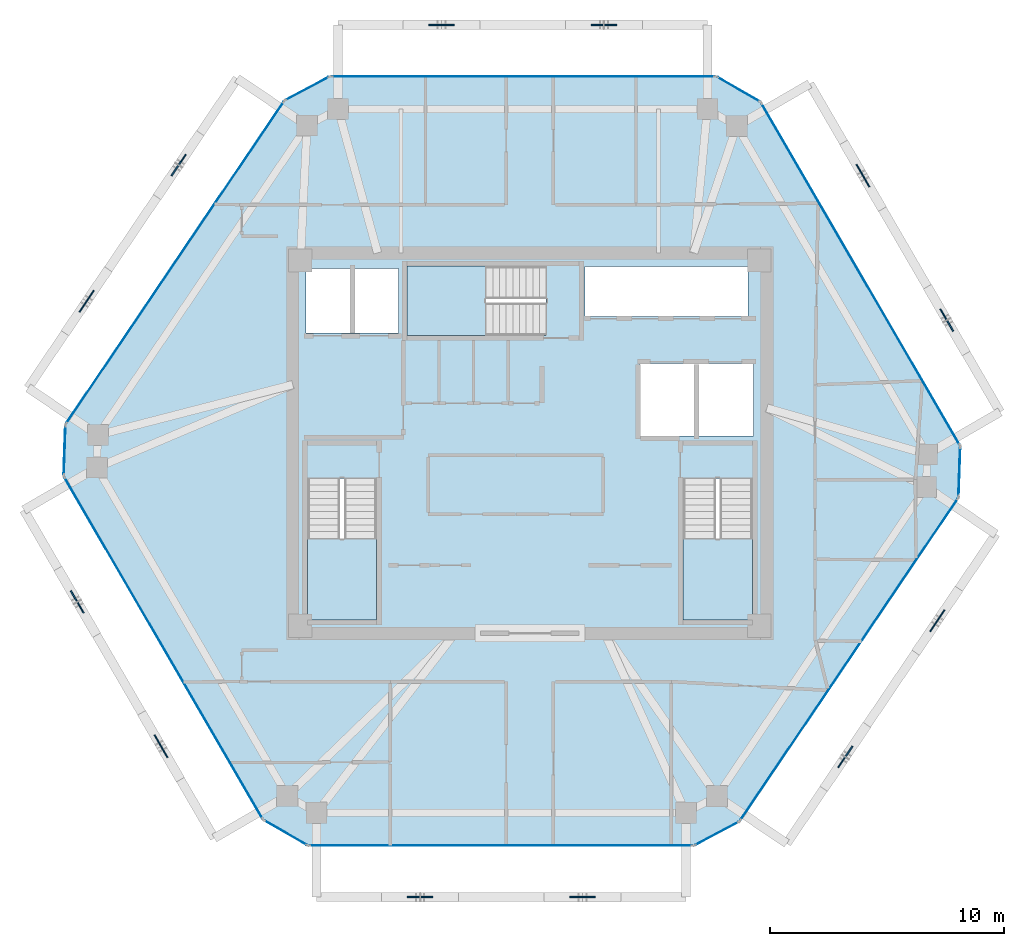
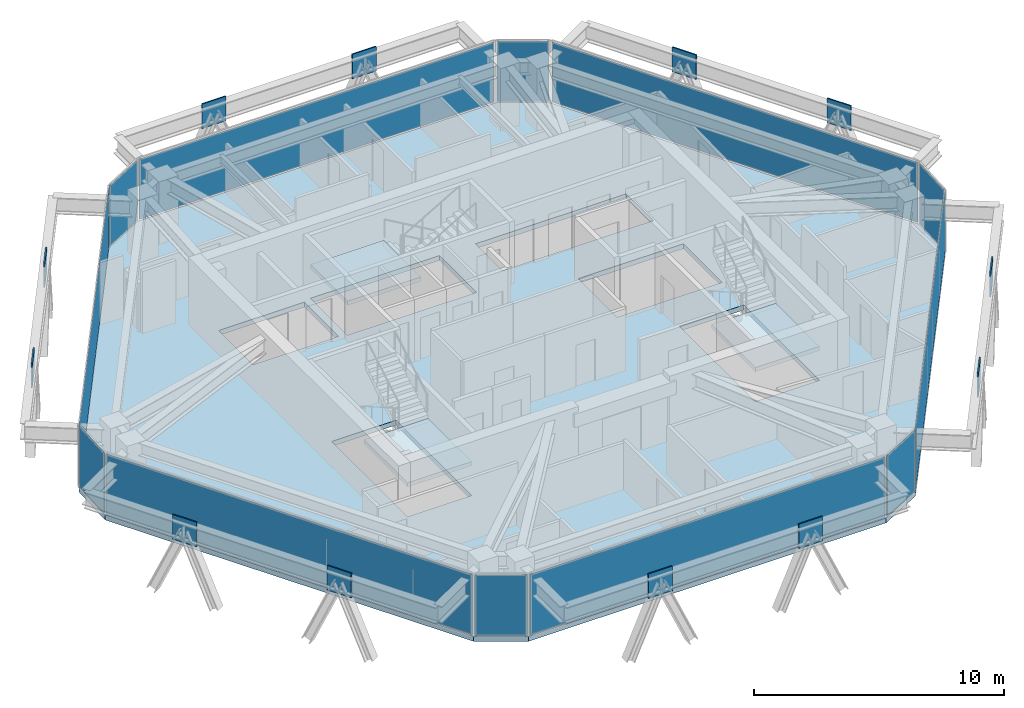
# One storey, part 7 of 13: 24 plates, 4 slabs, 15 elements without a shape of their own.
"""IFC4 building model written with IfcOpenShell, lengths in metres."""

import ifcopenshell
import ifcopenshell.guid

model = None  # the IFC model being written
_history = None  # IfcOwnerHistory: only IFC2X3 demands one
_inside = {}  # id of a spatial element -> (the spatial element, [elements in it])
_under = {}  # id of a project, library or spatial element -> (it, [spatial elements below it])
_declared = {}  # id of a project -> (the project, [libraries it declares])
_typed = {}  # id of a type object -> (the type object, [elements of that type])
_made_of = {}  # id of a material, layer set ... -> (it, [elements and type objects made of it])


def new_model(schema):
    """Start an empty IFC model of exactly this schema.

    Asked for "IFC4X3", IfcOpenShell would pick the latest addendum, in which some entities
    have other attributes; the version numbers below select the first issue.
    IFC2X3 requires an IfcOwnerHistory on every rooted entity: one is made here for all.
    """
    global model, _history
    if schema == "IFC4X3":
        model = ifcopenshell.file(schema_version=(4, 3, 0, 0))
    else:
        model = ifcopenshell.file(schema=schema)
    _inside.clear()
    _under.clear()
    _declared.clear()
    _typed.clear()
    _made_of.clear()
    _history = None
    if model.schema == "IFC2X3":
        org = make("IfcOrganization", Name="unknown")
        user = make(
            "IfcPersonAndOrganization",
            ThePerson=make("IfcPerson", FamilyName="unknown"),
            TheOrganization=org,
        )
        app = make(
            "IfcApplication",
            ApplicationDeveloper=org,
            Version="unknown",
            ApplicationFullName="unknown",
            ApplicationIdentifier="unknown",
        )
        _history = make(
            "IfcOwnerHistory",
            OwningUser=user,
            OwningApplication=app,
            ChangeAction="ADDED",
            CreationDate=0,
        )
    return model


def make(cls, **values):
    """One entity of the class cls with the attributes given. An attribute that is None is left unset."""
    return model.create_entity(
        cls, **{name: value for name, value in values.items() if value is not None}
    )


def rooted(cls, **values):
    """An entity with a GlobalId (a new one), such as an element, a storey or a relation."""
    return make(cls, GlobalId=ifcopenshell.guid.new(), OwnerHistory=_history, **values)


def si_unit(unit_type, name, prefix=None):
    """IfcSIUnit, for example si_unit("LENGTHUNIT", "METRE", prefix="MILLI")."""
    return make("IfcSIUnit", UnitType=unit_type, Prefix=prefix, Name=name)


def assignment(units):
    """IfcUnitAssignment: the units of a project."""
    return None if units is None else make("IfcUnitAssignment", Units=units)


def point(xyz):
    """IfcCartesianPoint."""
    return None if xyz is None else make("IfcCartesianPoint", Coordinates=xyz)


def direction(xyz):
    """IfcDirection."""
    return None if xyz is None else make("IfcDirection", DirectionRatios=xyz)


def frame(location, z_axis=None, x_axis=None):
    """IfcAxis2Placement3D, a coordinate frame: its origin and axes. An axis left out is left unset."""
    return make(
        "IfcAxis2Placement3D",
        Location=point(location),
        Axis=direction(z_axis),
        RefDirection=direction(x_axis),
    )


def frame_2d(location, x_axis=None):
    """IfcAxis2Placement2D, a coordinate frame in the plane: its origin and x axis."""
    return make(
        "IfcAxis2Placement2D", Location=point(location), RefDirection=direction(x_axis)
    )


def origin():
    """The frame at (0, 0, 0) with its axes left unset."""
    return frame((0.0, 0.0, 0.0))


def origin_2d():
    """The frame at (0, 0) in the plane with its x axis left unset."""
    return frame_2d((0.0, 0.0))


def place(relative_to, where):
    """IfcLocalPlacement: puts the frame where relative to a parent placement (None: the world)."""
    return make(
        "IfcLocalPlacement", PlacementRelTo=relative_to, RelativePlacement=where
    )


def context(
    kind, dimensions, precision=None, world=None, true_north=None, identifier=None
):
    """IfcGeometricRepresentationContext, for example the 3D "Model" context."""
    return make(
        "IfcGeometricRepresentationContext",
        ContextIdentifier=identifier,
        ContextType=kind,
        CoordinateSpaceDimension=dimensions,
        Precision=precision,
        WorldCoordinateSystem=world,
        TrueNorth=true_north,
    )


def subcontext(parent, identifier, kind, view, scale=None):
    """IfcGeometricRepresentationSubContext, for example "Body" below "Model"."""
    return make(
        "IfcGeometricRepresentationSubContext",
        ContextIdentifier=identifier,
        ContextType=kind,
        ParentContext=parent,
        TargetScale=scale,
        TargetView=view,
    )


def project(units=None, contexts=None):
    """IfcProject with its units and contexts."""
    return rooted(
        "IfcProject",
        Name="project",
        RepresentationContexts=contexts,
        UnitsInContext=assignment(units),
    )


def spatial(cls, under=None, at=None, **own):
    """A site, building, storey or space (cls), placed at a placement, below another one or the project."""
    s = rooted(cls, ObjectPlacement=at, **own)
    if under is not None:
        _under.setdefault(under.id(), (under, []))[1].append(s)
    return s


def polyline(points):
    """IfcPolyline through the points."""
    return make("IfcPolyline", Points=[point(p) for p in points])


def profile(cls, at=None, kind="AREA", **sizes):
    """A parametric profile (cls). Its sizes go by their IFC names, for example OverallWidth=200.0."""
    return make(cls, ProfileType=kind, Position=at, **sizes)


def rectangle(**sizes):
    """IfcRectangleProfileDef."""
    return profile("IfcRectangleProfileDef", **sizes)


def outline(outer, holes=None, kind="AREA"):
    """IfcArbitraryClosedProfileDef: a profile drawn as a closed curve; with holes, ...WithVoids."""
    if holes is None:
        return make("IfcArbitraryClosedProfileDef", ProfileType=kind, OuterCurve=outer)
    return make(
        "IfcArbitraryProfileDefWithVoids",
        ProfileType=kind,
        OuterCurve=outer,
        InnerCurves=holes,
    )


def extrude(swept, where, along, depth):
    """IfcExtrudedAreaSolid: the profile swept, set in the frame where, extruded along a direction by depth."""
    return make(
        "IfcExtrudedAreaSolid",
        SweptArea=swept,
        Position=where,
        ExtrudedDirection=direction(along),
        Depth=depth,
    )


def shape(context_of_items, identifier, shape_type, items):
    """IfcShapeRepresentation: the items that make up one representation, for example the "Body"."""
    return make(
        "IfcShapeRepresentation",
        ContextOfItems=context_of_items,
        RepresentationIdentifier=identifier,
        RepresentationType=shape_type,
        Items=items,
    )


def source(mapping_origin, context_of_items, identifier, shape_type, items):
    """IfcRepresentationMap: a shape defined once, which mapped items show again and again."""
    return make(
        "IfcRepresentationMap",
        MappingOrigin=mapping_origin,
        MappedRepresentation=shape(context_of_items, identifier, shape_type, items),
    )


def transform(
    local_origin,
    x_axis=None,
    y_axis=None,
    z_axis=None,
    scale=None,
    scale2=None,
    scale3=None,
    uniform=True,
):
    """IfcCartesianTransformationOperator3D, or its non-uniform kind. x_axis, y_axis, z_axis: its Axis1, 2, 3."""
    if uniform:
        return make(
            "IfcCartesianTransformationOperator3D",
            Axis1=direction(x_axis),
            Axis2=direction(y_axis),
            LocalOrigin=point(local_origin),
            Scale=scale,
            Axis3=direction(z_axis),
        )
    return make(
        "IfcCartesianTransformationOperator3DnonUniform",
        Axis1=direction(x_axis),
        Axis2=direction(y_axis),
        LocalOrigin=point(local_origin),
        Scale=scale,
        Axis3=direction(z_axis),
        Scale2=scale2,
        Scale3=scale3,
    )


def mapped(mapping_source, mapping_target):
    """IfcMappedItem: shows the shape of a source again, moved by a transform."""
    return make(
        "IfcMappedItem", MappingSource=mapping_source, MappingTarget=mapping_target
    )


def material(Name=None, Category=None):
    """IfcMaterial."""
    return make("IfcMaterial", Name=Name, Category=Category)


def layer(
    of_material, thickness, ventilated=None, Name=None, Category=None, Priority=None
):
    """IfcMaterialLayer: one layer of a wall or slab, of a material (None: an air gap)."""
    return make(
        "IfcMaterialLayer",
        Material=of_material,
        LayerThickness=thickness,
        IsVentilated=ventilated,
        Name=Name,
        Category=Category,
        Priority=Priority,
    )


def layer_set(layers, Name=None):
    """IfcMaterialLayerSet."""
    return make("IfcMaterialLayerSet", MaterialLayers=layers, LayerSetName=Name)


def made_of(thing, what):
    """Note that an element or type object is made of a material, layer set ...; save() writes the relation."""
    if what is not None:
        _made_of.setdefault(what.id(), (what, []))[1].append(thing)
    return thing


def type_object(cls, material=None, **own):
    """A type object (cls), such as IfcWallType, which elements share."""
    return made_of(rooted(cls, **own), material)


def type_shapes(of_type, sources):
    """Give a type object the sources (RepresentationMaps) that its elements show as mapped items."""
    of_type.RepresentationMaps = sources


def element(
    cls,
    number,
    at=None,
    inside=None,
    cuts=None,
    type_object=None,
    material=None,
    context=None,
    identifier="Body",
    shape_type=None,
    held_by="IfcProductDefinitionShape",
    body=None,
    shapes=None,
    **own,
):
    """One element of the class cls, such as IfcWall. Its Tag is "e" and its number.

    at: its placement. inside: the storey or other place that contains it. cuts: it is an
    opening in that element (IfcRelVoidsElement). A single representation is given by context,
    identifier, shape_type and body (its items); several are given by shapes. held_by: the class
    of the entity that holds the representations. save() writes the other relations.
    """
    e = rooted(cls, Tag="e%d" % number, ObjectPlacement=at, **own)
    if body is not None:
        shapes = [shape(context, identifier, shape_type, body)]
    if shapes is not None:
        e.Representation = make(held_by, Representations=shapes)
    if inside is not None:
        _inside.setdefault(inside.id(), (inside, []))[1].append(e)
    if cuts is not None:
        rooted(
            "IfcRelVoidsElement", RelatingBuildingElement=cuts, RelatedOpeningElement=e
        )
    if type_object is not None:
        _typed.setdefault(type_object.id(), (type_object, []))[1].append(e)
    return made_of(e, material)


def aggregate(whole, parts):
    """IfcRelAggregates: a whole, such as a stair, and the parts it consists of."""
    return rooted("IfcRelAggregates", RelatingObject=whole, RelatedObjects=parts)


def save(model, path):
    """Write the relations noted so far, then the file.

    IfcRelAggregates (storeys below a building ...), IfcRelContainedInSpatialStructure (elements
    in a storey), IfcRelDefinesByType, IfcRelAssociatesMaterial and IfcRelDeclares: one each for
    every whole, place, type object, material and project.
    """
    for whole, parts in _under.values():
        aggregate(whole, parts)
    for where, things in _inside.values():
        rooted(
            "IfcRelContainedInSpatialStructure",
            RelatedElements=things,
            RelatingStructure=where,
        )
    for kind, things in _typed.values():
        rooted("IfcRelDefinesByType", RelatedObjects=things, RelatingType=kind)
    for what, things in _made_of.values():
        rooted("IfcRelAssociatesMaterial", RelatedObjects=things, RelatingMaterial=what)
    for by, libraries in _declared.values():
        rooted("IfcRelDeclares", RelatingContext=by, RelatedDefinitions=libraries)
    model.write(path)


model = new_model("IFC4")

# Units and contexts
model_context = context("Model", 3, precision=1e-05, world=origin(), true_north=direction((0.0, 1.0)))
body_context = subcontext(model_context, "Body", "Model", "MODEL_VIEW")
ifc_project = project(units=[si_unit("LENGTHUNIT", "METRE"), si_unit("AREAUNIT", "SQUARE_METRE"), si_unit("VOLUMEUNIT", "CUBIC_METRE"), si_unit("PLANEANGLEUNIT", "RADIAN"), si_unit("MASSUNIT", "GRAM", prefix="KILO")], contexts=[model_context])

# Site, building, storey
site_placement = place(None, origin())
site = spatial("IfcSite", under=ifc_project, at=site_placement, CompositionType="ELEMENT")
building_placement = place(site_placement, origin())
building = spatial("IfcBuilding", under=site, at=building_placement, Name="Durnholm Broadcast Tower", CompositionType="ELEMENT")
storey_placement = place(building_placement, frame((0.0, 0.0, 234.800048828125)))
storey = spatial("IfcBuildingStorey", under=building, at=storey_placement, Name="L65", CompositionType="ELEMENT", Elevation=234.800048828125)

# Slab
ifc_material_1 = material(Name="Concrete C50/60", Category="concrete")
ifc_layer_1 = layer(ifc_material_1, 0.239990234375)
ifc_layer_set_1 = layer_set([ifc_layer_1], Name="Concrete C50/60")
slab_type_1 = type_object("IfcSlabType", Name="SLAB-FLR-240", PredefinedType="FLOOR", material=ifc_layer_set_1)
slab_1_placement = place(storey_placement, frame((0.0, 0.0, -0.239990234375)))
element("IfcSlab", 1, at=slab_1_placement, inside=storey, type_object=slab_type_1, Name="L65 structural floor slab", PredefinedType="FLOOR", context=body_context, shape_type="SweptSolid", body=[
    extrude(outline(polyline([(-11.384521484375, -16.088134765625), (-9.47802734375, -17.18603515625), (7.012451171875, -17.18603515625), (8.955322265625, -16.154296875), (18.307861328125, -2.3203125), (18.38330078125, -0.12158203125), (9.8603515625, 14.564208984375), (7.9541015625, 15.662109375), (-8.536376953125, 15.662109375), (-10.4794921875, 14.630126953125), (-19.831787109375, 0.79638671875), (-19.9072265625, -1.40234375), (-11.384521484375, -16.088134765625)]), holes=[polyline([(-6.5400390625, -1.5), (-9.5, -1.5), (-9.5, -7.550048828125), (-6.5400390625, -7.550048828125), (-6.5400390625, -1.5)]), polyline([(9.5, -7.550048828125), (9.5, -1.5), (6.5400390625, -1.5), (6.5400390625, -7.550048828125), (9.5, -7.550048828125)]), polyline([(9.550048828125, 3.39990234375), (4.699951171875, 3.39990234375), (4.699951171875, 0.300048828125), (9.550048828125, 0.300048828125), (9.550048828125, 3.39990234375)]), polyline([(-9.550048828125, 7.449951171875), (-9.550048828125, 4.699951171875), (-5.60009765625, 4.699951171875), (-5.60009765625, 7.449951171875), (-9.550048828125, 7.449951171875)]), polyline([(-5.25, 4.60009765625), (0.699951171875, 4.60009765625), (0.699951171875, 7.56005859375), (-5.25, 7.56005859375), (-5.25, 4.60009765625)]), polyline([(9.31005859375, 7.550048828125), (2.35009765625, 7.550048828125), (2.35009765625, 5.39990234375), (9.31005859375, 5.39990234375), (9.31005859375, 7.550048828125)])]), origin(), (0.0, 0.0, 1.0), 0.239990234375),
])

# Stair, slab
stair_type = type_object("IfcStairType", Name="STAIR-DL-20R1650", PredefinedType="HALF_TURN_STAIR", material=ifc_material_1)
stair_1_placement = place(storey_placement, origin())
stair_1 = element("IfcStair", 2, at=stair_1_placement, inside=storey, type_object=stair_type, Name="L65 ST-1", PredefinedType="HALF_TURN_STAIR")
ifc_layer_2 = layer(ifc_material_1, 0.199951171875)
ifc_layer_set_2 = layer_set([ifc_layer_2], Name="Concrete C50/60")
slab_type_2 = type_object("IfcSlabType", Name="SLAB-LND-200", PredefinedType="LANDING", material=ifc_layer_set_2)
slab_2_placement = place(storey_placement, frame((0.0, 0.0, 1.449951171875)))
slab_2 = element("IfcSlab", 3, at=slab_2_placement, type_object=slab_type_2, Name="ST-1 landing 1", PredefinedType="LANDING", context=body_context, shape_type="SweptSolid", body=[
    extrude(outline(polyline([(-9.5, -4.06494140625), (-9.5, -7.550048828125), (-6.5400390625, -7.550048828125), (-6.5400390625, -4.06494140625), (-9.5, -4.06494140625)])), origin(), (0.0, 0.0, 1.0), 0.199951171875),
])
aggregate(stair_1, [slab_2])

stair_2_placement = place(storey_placement, origin())
stair_2 = element("IfcStair", 4, at=stair_2_placement, inside=storey, type_object=stair_type, Name="L65 ST-2", PredefinedType="HALF_TURN_STAIR")
slab_3_placement = place(storey_placement, frame((0.0, 0.0, 1.449951171875)))
slab_3 = element("IfcSlab", 5, at=slab_3_placement, type_object=slab_type_2, Name="ST-2 landing 1", PredefinedType="LANDING", context=body_context, shape_type="SweptSolid", body=[
    extrude(outline(polyline([(6.5400390625, -4.06494140625), (6.5400390625, -7.550048828125), (9.5, -7.550048828125), (9.5, -4.06494140625), (6.5400390625, -4.06494140625)])), origin(), (0.0, 0.0, 1.0), 0.199951171875),
])
aggregate(stair_2, [slab_3])

stair_3_placement = place(storey_placement, origin())
stair_3 = element("IfcStair", 6, at=stair_3_placement, inside=storey, type_object=stair_type, Name="L65 ST-3", PredefinedType="HALF_TURN_STAIR")
slab_4_placement = place(storey_placement, frame((0.0, 0.0, 1.449951171875)))
slab_4 = element("IfcSlab", 7, at=slab_4_placement, type_object=slab_type_2, Name="ST-3 landing 1", PredefinedType="LANDING", context=body_context, shape_type="SweptSolid", body=[
    extrude(outline(polyline([(-1.864990234375, 7.56005859375), (-5.25, 7.56005859375), (-5.25, 4.60009765625), (-1.864990234375, 4.60009765625), (-1.864990234375, 7.56005859375)])), origin(), (0.0, 0.0, 1.0), 0.199951171875),
])
aggregate(stair_3, [slab_4])

# Plates
ifc_material_2 = material(Name="Steel ASTM A572 Grade 50", Category="steel")
ifc_layer_3 = layer(ifc_material_2, 0.06005859375)
ifc_layer_set_3 = layer_set([ifc_layer_3], Name="Steel ASTM A572 Grade 50")
plate_type_1 = type_object("IfcPlateType", Name="PLT-KN10-GUS", PredefinedType="USERDEFINED", material=ifc_layer_set_3)
shared_shape_1 = source(origin(), body_context, "Body", "SweptSolid", [
    extrude(rectangle(XDim=1.10009765625, YDim=0.06005859375, at=origin_2d()), origin(), (0.0, 0.0, 1.0), 1.199951171875),
])
type_shapes(plate_type_1, [shared_shape_1])
for number, where, z_axis, x_axis, name in (
    (8, (-4.688720703125, -19.385986328125, 1.70849609375), (0.0, 0.0, 1.0), (1.0, 0.0, 0.0), "L65 welded diagrid node gusset plate KN10 F1"),
    (9, (2.248779296875, -19.385986328125, 1.70849609375), (0.0, 0.0, 1.0), (1.0, 0.0, 0.0), "L65 welded diagrid node gusset plate KN10 F1"),
    (10, (13.47412109375, -13.398193359375, 1.70849609375), (0.0, 0.0, 1.0), (0.560060762816, 0.828451532652, 0.0), "L65 welded diagrid node gusset plate KN10 F2"),
    (11, (17.404052734375, -7.585205078125, 1.70849609375), (0.0, 0.0, 1.0), (0.560060762816, 0.828451532652, 0.0), "L65 welded diagrid node gusset plate KN10 F2"),
    (12, (17.806640625, 5.2548828125, 1.70849609375), (0.0, 0.0, 1.0), (-0.501963660617, 0.864888711581, 0.0), "L65 welded diagrid node gusset plate KN10 F3"),
    (13, (14.228271484375, 11.4208984375, 1.70849609375), (0.0, 0.0, 1.0), (-0.501963660617, 0.864888711581, 0.0), "L65 welded diagrid node gusset plate KN10 F3"),
    (14, (3.164794921875, 17.862060546875, 1.70849609375), (0.0, 0.0, 1.0), (-1.0, 0.0, 0.0), "L65 welded diagrid node gusset plate KN10 F4"),
    (15, (-3.772705078125, 17.862060546875, 1.70849609375), (0.0, 0.0, 1.0), (-1.0, 0.0, 0.0), "L65 welded diagrid node gusset plate KN10 F4"),
    (16, (-14.998046875, 11.874267578125, 1.70849609375), (0.0, 0.0, 1.0), (-0.560060762816, -0.828451532652, 0.0), "L65 welded diagrid node gusset plate KN10 F5"),
    (17, (-18.927978515625, 6.061279296875, 1.70849609375), (0.0, 0.0, 1.0), (-0.560060762816, -0.828451532652, 0.0), "L65 welded diagrid node gusset plate KN10 F5"),
    (18, (-19.330810546875, -6.77880859375, 1.70849609375), (0.0, 0.0, 1.0), (0.501963660617, -0.864888711581, 0.0), "L65 welded diagrid node gusset plate KN10 F6"),
    (19, (-15.752197265625, -12.94482421875, 1.70849609375), (0.0, 0.0, 1.0), (0.501963660617, -0.864888711581, 0.0), "L65 welded diagrid node gusset plate KN10 F6"),
):
    element("IfcPlate", number, at=place(storey_placement, frame(where, z_axis=z_axis, x_axis=x_axis)), inside=storey, type_object=plate_type_1, Name=name, ObjectType="GUSSET_PLATE", PredefinedType="USERDEFINED", context=body_context, shape_type="MappedRepresentation", body=[
        mapped(shared_shape_1, transform((0.0, 0.0, 0.0), x_axis=(1.0, 0.0, 0.0), y_axis=(0.0, 1.0, 0.0), z_axis=(0.0, 0.0, 1.0), scale=1.0)),
    ])

# Curtain wall, plate
ifc_material_3 = material(Name="Aluminium and Solar Control IGU", Category="aluminium")
ifc_layer_4 = layer(ifc_material_3, 0.1650390625)
ifc_layer_set_4 = layer_set([ifc_layer_4], Name="Aluminium and Solar Control IGU")
curtain_wall_type_1 = type_object("IfcCurtainWallType", Name="CW-SYS-5", PredefinedType="NOTDEFINED", material=ifc_layer_set_4)
curtain_wall_1_placement = place(storey_placement, origin())
curtain_wall_1 = element("IfcCurtainWall", 20, at=curtain_wall_1_placement, inside=storey, type_object=curtain_wall_type_1, Name="L65 curtain wall CW-CORNER CW-L65-CRN-01", PredefinedType="NOTDEFINED")
ifc_material_4 = material(Name="Low-E Laminated Insulating Glass", Category="glass")
ifc_layer_5 = layer(ifc_material_4, 0.030029296875)
ifc_layer_set_5 = layer_set([ifc_layer_5], Name="Low-E Laminated Insulating Glass")
plate_type_2 = type_object("IfcPlateType", Name="CW-SYS-5-PNL", PredefinedType="CURTAIN_PANEL", material=ifc_layer_set_5)
shared_shape_2 = source(origin(), body_context, "Body", "SweptSolid", [
    extrude(rectangle(XDim=2.070068359375, YDim=0.030029296875, at=origin_2d()), origin(), (0.0, 0.0, 1.0), 2.929931640625),
])
plate_1_placement = place(storey_placement, frame((-19.86962890625, -0.302978515625, 0.06494140625), z_axis=(0.0, 0.0, 1.0), x_axis=(0.034318245849, 0.999410955514, 0.0)))
plate_1 = element("IfcPlate", 21, at=plate_1_placement, type_object=plate_type_2, Name="CW-CORNER panel 1.1", PredefinedType="CURTAIN_PANEL", context=body_context, shape_type="MappedRepresentation", body=[
    mapped(shared_shape_2, transform((0.0, 0.0, 0.0), x_axis=(1.0, 0.0, 0.0), y_axis=(0.0, 1.0, 0.0), z_axis=(0.0, 0.0, 1.0), scale=1.0)),
])
aggregate(curtain_wall_1, [plate_1])

curtain_wall_2_placement = place(storey_placement, origin())
curtain_wall_2 = element("IfcCurtainWall", 22, at=curtain_wall_2_placement, inside=storey, type_object=curtain_wall_type_1, Name="L65 curtain wall CW-CORNER CW-L65-CRN-03", PredefinedType="NOTDEFINED")
plate_2_placement = place(storey_placement, frame((-9.5078125, 15.14599609375, 0.06494140625), z_axis=(0.0, 0.0, 1.0), x_axis=(0.883194569853, 0.469006771575, 0.0)))
plate_2 = element("IfcPlate", 23, at=plate_2_placement, type_object=plate_type_2, Name="CW-CORNER panel 1.1", PredefinedType="CURTAIN_PANEL", context=body_context, shape_type="MappedRepresentation", body=[
    mapped(shared_shape_2, transform((0.0, 0.0, 0.0), x_axis=(1.0, 0.0, 0.0), y_axis=(0.0, 1.0, 0.0), z_axis=(0.0, 0.0, 1.0), scale=1.0)),
])
aggregate(curtain_wall_2, [plate_2])

curtain_wall_3_placement = place(storey_placement, origin())
curtain_wall_3 = element("IfcCurtainWall", 24, at=curtain_wall_3_placement, inside=storey, type_object=curtain_wall_type_1, Name="L65 curtain wall CW-CORNER CW-L65-CRN-07", PredefinedType="NOTDEFINED")
plate_3_placement = place(storey_placement, frame((18.345458984375, -1.220947265625, 0.06494140625), z_axis=(0.0, 0.0, 1.0), x_axis=(-0.034318245849, -0.999410955514, 0.0)))
plate_3 = element("IfcPlate", 25, at=plate_3_placement, type_object=plate_type_2, Name="CW-CORNER panel 1.1", PredefinedType="CURTAIN_PANEL", context=body_context, shape_type="MappedRepresentation", body=[
    mapped(shared_shape_2, transform((0.0, 0.0, 0.0), x_axis=(1.0, 0.0, 0.0), y_axis=(0.0, 1.0, 0.0), z_axis=(0.0, 0.0, 1.0), scale=1.0)),
])
aggregate(curtain_wall_3, [plate_3])

curtain_wall_4_placement = place(storey_placement, origin())
curtain_wall_4 = element("IfcCurtainWall", 26, at=curtain_wall_4_placement, inside=storey, type_object=curtain_wall_type_1, Name="L65 curtain wall CW-CORNER CW-L65-CRN-09", PredefinedType="NOTDEFINED")
plate_4_placement = place(storey_placement, frame((7.98388671875, -16.670166015625, 0.06494140625), z_axis=(0.0, 0.0, 1.0), x_axis=(-0.883194569853, -0.469006771575, 0.0)))
plate_4 = element("IfcPlate", 27, at=plate_4_placement, type_object=plate_type_2, Name="CW-CORNER panel 1.1", PredefinedType="CURTAIN_PANEL", context=body_context, shape_type="MappedRepresentation", body=[
    mapped(shared_shape_2, transform((0.0, 0.0, 0.0), x_axis=(1.0, 0.0, 0.0), y_axis=(0.0, 1.0, 0.0), z_axis=(0.0, 0.0, 1.0), scale=1.0)),
])
aggregate(curtain_wall_4, [plate_4])

ifc_layer_6 = layer(ifc_material_3, 0.18994140625)
ifc_layer_set_6 = layer_set([ifc_layer_6], Name="Aluminium and Solar Control IGU")
curtain_wall_type_2 = type_object("IfcCurtainWallType", Name="CW-SYS-4", PredefinedType="NOTDEFINED", material=ifc_layer_set_6)
curtain_wall_5_placement = place(storey_placement, origin())
curtain_wall_5 = element("IfcCurtainWall", 28, at=curtain_wall_5_placement, inside=storey, type_object=curtain_wall_type_2, Name="L65 curtain wall CW-Z34-VIS CW-L65-F02", PredefinedType="NOTDEFINED")
ifc_layer_7 = layer(ifc_material_4, 0.033935546875)
ifc_layer_set_7 = layer_set([ifc_layer_7], Name="Low-E Laminated Insulating Glass")
plate_type_3 = type_object("IfcPlateType", Name="CW-SYS-4-PNL", PredefinedType="CURTAIN_PANEL", material=ifc_layer_set_7)
shared_shape_3 = source(origin(), body_context, "Body", "SweptSolid", [
    extrude(rectangle(XDim=16.55859375, YDim=0.033935546875, at=origin_2d()), origin(), (0.0, 0.0, 1.0), 2.919921875),
])
plate_5_placement = place(storey_placement, frame((-15.155517578125, 7.71337890625, 0.070068359375), z_axis=(0.0, 0.0, 1.0), x_axis=(0.560072745753, 0.828443431662, 0.0)))
plate_5 = element("IfcPlate", 29, at=plate_5_placement, type_object=plate_type_3, Name="CW-Z34-VIS panel 1.1", PredefinedType="CURTAIN_PANEL", context=body_context, shape_type="MappedRepresentation", body=[
    mapped(shared_shape_3, transform((0.0, 0.0, 0.0), x_axis=(1.0, 0.0, 0.0), y_axis=(0.0, 1.0, 0.0), z_axis=(0.0, 0.0, 1.0), scale=1.0)),
])
aggregate(curtain_wall_5, [plate_5])

curtain_wall_6_placement = place(storey_placement, origin())
curtain_wall_6 = element("IfcCurtainWall", 30, at=curtain_wall_6_placement, inside=storey, type_object=curtain_wall_type_2, Name="L65 curtain wall CW-Z34-VIS CW-L65-F08", PredefinedType="NOTDEFINED")
plate_6_placement = place(storey_placement, frame((13.631591796875, -9.2373046875, 0.070068359375), z_axis=(0.0, 0.0, 1.0), x_axis=(-0.560072745753, -0.828443431662, 0.0)))
plate_6 = element("IfcPlate", 31, at=plate_6_placement, type_object=plate_type_3, Name="CW-Z34-VIS panel 1.1", PredefinedType="CURTAIN_PANEL", context=body_context, shape_type="MappedRepresentation", body=[
    mapped(shared_shape_3, transform((0.0, 0.0, 0.0), x_axis=(1.0, 0.0, 0.0), y_axis=(0.0, 1.0, 0.0), z_axis=(0.0, 0.0, 1.0), scale=1.0)),
])
aggregate(curtain_wall_6, [plate_6])

curtain_wall_7_placement = place(storey_placement, origin())
curtain_wall_7 = element("IfcCurtainWall", 32, at=curtain_wall_7_placement, inside=storey, type_object=curtain_wall_type_2, Name="L65 curtain wall CW-Z34-VIS CW-L65-F04", PredefinedType="NOTDEFINED")
shared_shape_4 = source(origin(), body_context, "Body", "SweptSolid", [
    extrude(rectangle(XDim=16.350341796875, YDim=0.033935546875, at=origin_2d()), origin(), (0.0, 0.0, 1.0), 2.919921875),
])
plate_7_placement = place(storey_placement, frame((-0.291259765625, 15.662109375, 0.070068359375), z_axis=(0.0, 0.0, 1.0), x_axis=(1.0, 0.0, 0.0)))
plate_7 = element("IfcPlate", 33, at=plate_7_placement, type_object=plate_type_3, Name="CW-Z34-VIS panel 1.1", PredefinedType="CURTAIN_PANEL", context=body_context, shape_type="MappedRepresentation", body=[
    mapped(shared_shape_4, transform((0.0, 0.0, 0.0), x_axis=(1.0, 0.0, 0.0), y_axis=(0.0, 1.0, 0.0), z_axis=(0.0, 0.0, 1.0), scale=1.0)),
])
aggregate(curtain_wall_7, [plate_7])

curtain_wall_8_placement = place(storey_placement, origin())
curtain_wall_8 = element("IfcCurtainWall", 34, at=curtain_wall_8_placement, inside=storey, type_object=curtain_wall_type_2, Name="L65 curtain wall CW-Z34-VIS CW-L65-F10", PredefinedType="NOTDEFINED")
plate_8_placement = place(storey_placement, frame((-1.23291015625, -17.18603515625, 0.070068359375), z_axis=(0.0, 0.0, 1.0), x_axis=(-1.0, 0.0, 0.0)))
plate_8 = element("IfcPlate", 35, at=plate_8_placement, type_object=plate_type_3, Name="CW-Z34-VIS panel 1.1", PredefinedType="CURTAIN_PANEL", context=body_context, shape_type="MappedRepresentation", body=[
    mapped(shared_shape_4, transform((0.0, 0.0, 0.0), x_axis=(1.0, 0.0, 0.0), y_axis=(0.0, 1.0, 0.0), z_axis=(0.0, 0.0, 1.0), scale=1.0)),
])
aggregate(curtain_wall_8, [plate_8])

curtain_wall_9_placement = place(storey_placement, origin())
curtain_wall_9 = element("IfcCurtainWall", 36, at=curtain_wall_9_placement, inside=storey, type_object=curtain_wall_type_1, Name="L65 curtain wall CW-CORNER CW-L65-CRN-05", PredefinedType="NOTDEFINED")
shared_shape_5 = source(origin(), body_context, "Body", "SweptSolid", [
    extrude(rectangle(XDim=2.06982421875, YDim=0.030029296875, at=origin_2d()), origin(), (0.0, 0.0, 1.0), 2.929931640625),
])
type_shapes(plate_type_2, [shared_shape_2, shared_shape_5])
plate_9_placement = place(storey_placement, frame((8.9072265625, 15.113037109375, 0.06494140625), z_axis=(0.0, 0.0, 1.0), x_axis=(0.866568249707, -0.499058582333, 0.0)))
plate_9 = element("IfcPlate", 37, at=plate_9_placement, type_object=plate_type_2, Name="CW-CORNER panel 1.1", PredefinedType="CURTAIN_PANEL", context=body_context, shape_type="MappedRepresentation", body=[
    mapped(shared_shape_5, transform((0.0, 0.0, 0.0), x_axis=(1.0, 0.0, 0.0), y_axis=(0.0, 1.0, 0.0), z_axis=(0.0, 0.0, 1.0), scale=1.0)),
])
aggregate(curtain_wall_9, [plate_9])

curtain_wall_10_placement = place(storey_placement, origin())
curtain_wall_10 = element("IfcCurtainWall", 38, at=curtain_wall_10_placement, inside=storey, type_object=curtain_wall_type_1, Name="L65 curtain wall CW-CORNER CW-L65-CRN-11", PredefinedType="NOTDEFINED")
plate_10_placement = place(storey_placement, frame((-10.43115234375, -16.636962890625, 0.06494140625), z_axis=(0.0, 0.0, 1.0), x_axis=(-0.866568249707, 0.499058582333, 0.0)))
plate_10 = element("IfcPlate", 39, at=plate_10_placement, type_object=plate_type_2, Name="CW-CORNER panel 1.1", PredefinedType="CURTAIN_PANEL", context=body_context, shape_type="MappedRepresentation", body=[
    mapped(shared_shape_5, transform((0.0, 0.0, 0.0), x_axis=(1.0, 0.0, 0.0), y_axis=(0.0, 1.0, 0.0), z_axis=(0.0, 0.0, 1.0), scale=1.0)),
])
aggregate(curtain_wall_10, [plate_10])

curtain_wall_11_placement = place(storey_placement, origin())
curtain_wall_11 = element("IfcCurtainWall", 40, at=curtain_wall_11_placement, inside=storey, type_object=curtain_wall_type_2, Name="L65 curtain wall CW-Z34-VIS CW-L65-F06", PredefinedType="NOTDEFINED")
shared_shape_6 = source(origin(), body_context, "Body", "SweptSolid", [
    extrude(rectangle(XDim=16.83984375, YDim=0.033935546875, at=origin_2d()), origin(), (0.0, 0.0, 1.0), 2.919921875),
])
type_shapes(plate_type_3, [shared_shape_3, shared_shape_4, shared_shape_6])
plate_11_placement = place(storey_placement, frame((14.121826171875, 7.22119140625, 0.070068359375), z_axis=(0.0, 0.0, 1.0), x_axis=(0.50194441023, -0.864899883824, 0.0)))
plate_11 = element("IfcPlate", 41, at=plate_11_placement, type_object=plate_type_3, Name="CW-Z34-VIS panel 1.1", PredefinedType="CURTAIN_PANEL", context=body_context, shape_type="MappedRepresentation", body=[
    mapped(shared_shape_6, transform((0.0, 0.0, 0.0), x_axis=(1.0, 0.0, 0.0), y_axis=(0.0, 1.0, 0.0), z_axis=(0.0, 0.0, 1.0), scale=1.0)),
])
aggregate(curtain_wall_11, [plate_11])

curtain_wall_12_placement = place(storey_placement, origin())
curtain_wall_12 = element("IfcCurtainWall", 42, at=curtain_wall_12_placement, inside=storey, type_object=curtain_wall_type_2, Name="L65 curtain wall CW-Z34-VIS CW-L65-F12", PredefinedType="NOTDEFINED")
plate_12_placement = place(storey_placement, frame((-15.645751953125, -8.7451171875, 0.070068359375), z_axis=(0.0, 0.0, 1.0), x_axis=(-0.50194441023, 0.864899883824, 0.0)))
plate_12 = element("IfcPlate", 43, at=plate_12_placement, type_object=plate_type_3, Name="CW-Z34-VIS panel 1.1", PredefinedType="CURTAIN_PANEL", context=body_context, shape_type="MappedRepresentation", body=[
    mapped(shared_shape_6, transform((0.0, 0.0, 0.0), x_axis=(1.0, 0.0, 0.0), y_axis=(0.0, 1.0, 0.0), z_axis=(0.0, 0.0, 1.0), scale=1.0)),
])
aggregate(curtain_wall_12, [plate_12])

save(model, "model.ifc")
